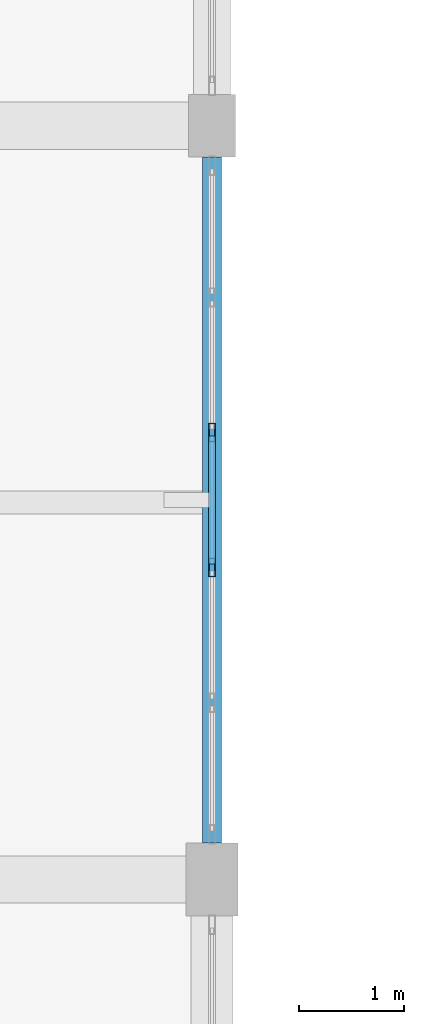
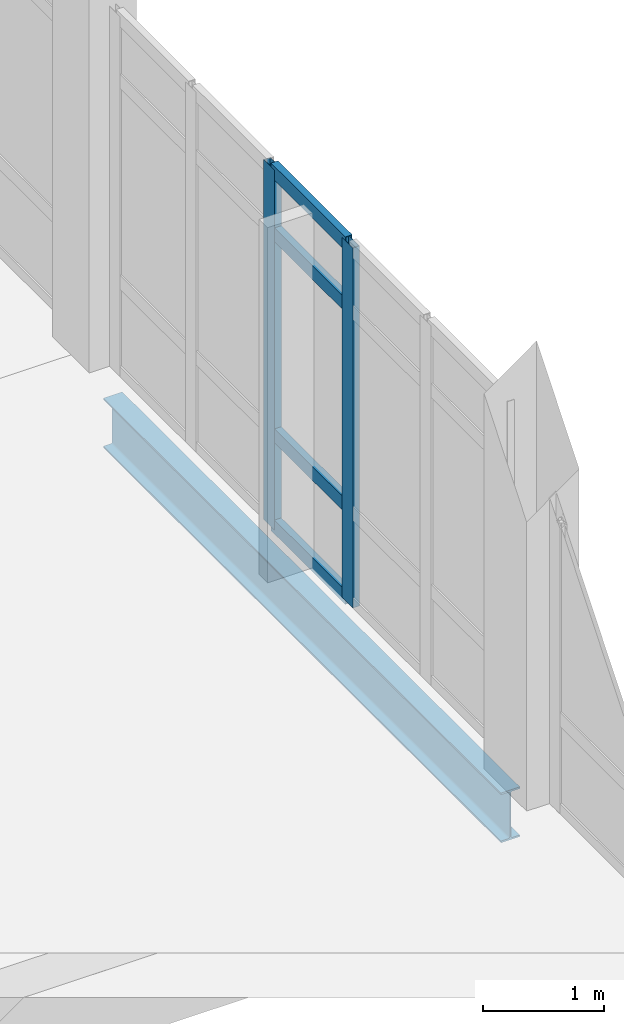
# One storey, part 12 of 57: 6 members, 1 beam, 1 element without a shape of its own.
"""IFC4 building model written with IfcOpenShell, lengths in metres."""

from ifc_helpers import new_model, si_unit, direction, frame, origin, origin_2d, place, context, subcontext, project, spatial, hollow_rectangle, i_section, extrude, material, material_profile, profile_set, type_object, element, aggregate, save


model = new_model("IFC4")

# Units and contexts
model_context = context("Model", 3, precision=1e-05, world=origin(), true_north=direction((0.0, 1.0)))
body_context = subcontext(model_context, "Body", "Model", "MODEL_VIEW")
ifc_project = project(units=[si_unit("LENGTHUNIT", "METRE"), si_unit("AREAUNIT", "SQUARE_METRE"), si_unit("VOLUMEUNIT", "CUBIC_METRE"), si_unit("PLANEANGLEUNIT", "RADIAN"), si_unit("MASSUNIT", "GRAM", prefix="KILO")], contexts=[model_context])

# Site, building, storey
site_placement = place(None, origin())
site = spatial("IfcSite", under=ifc_project, at=site_placement, CompositionType="ELEMENT")
building_placement = place(site_placement, origin())
building = spatial("IfcBuilding", under=site, at=building_placement, Name="Kalluvel Institute of Natural Sciences", CompositionType="ELEMENT")
storey_placement = place(building_placement, frame((0.0, 0.0, 23.39990234375)))
storey = spatial("IfcBuildingStorey", under=building, at=storey_placement, Name="L05", CompositionType="ELEMENT", Elevation=23.39990234375)

# Beam
ifc_material_1 = material(Name="Steel E350 Grade 350", Category="steel")
ifc_material_profile_1 = material_profile(ifc_material_1, i_section(OverallWidth=0.179931640625, OverallDepth=0.5, WebThickness=0.01025390625, FlangeThickness=0.01708984375, FilletRadius=0.01708984375, at=origin_2d()), Name="ISMB 500")
ifc_profile_set_1 = profile_set([ifc_material_profile_1], Name="Steel E350 Grade 350")
beam_type = type_object("IfcBeamType", Name="BM-ISMB500", PredefinedType="BEAM", material=ifc_profile_set_1)
beam_placement = place(storey_placement, frame((35.60009765625, 57.550048828125, -0.5498046875), z_axis=(0.0, 1.0, 0.0), x_axis=(-1.0, 0.0, 0.0)))
element("IfcBeam", 1, at=beam_placement, inside=storey, type_object=beam_type, Name="L05 girder GIR-L05-NS-X356-Y572", PredefinedType="BEAM", context=body_context, shape_type="SweptSolid", body=[
    extrude(i_section(OverallWidth=0.179931640625, OverallDepth=0.5, WebThickness=0.01025390625, FlangeThickness=0.01708984375, FilletRadius=0.01708984375, at=origin_2d()), origin(), (0.0, 0.0, 1.0), 6.550048828125),
])

# Curtain wall, members
ifc_material_2 = material(Name="Aluminium AW-6063 T6", Category="aluminium")
curtain_wall_type = type_object("IfcCurtainWallType", Name="CW-DRY-45", PredefinedType="USERDEFINED", material=ifc_material_2)
curtain_wall_placement = place(storey_placement, origin())
curtain_wall = element("IfcCurtainWall", 2, at=curtain_wall_placement, inside=storey, type_object=curtain_wall_type, Name="L05 Gothic lancet curtain wall CWA-L05-X356-Y576", ObjectType="UNITISED LANCET FACADE", PredefinedType="USERDEFINED")
ifc_material_profile_2 = material_profile(ifc_material_2, hollow_rectangle(XDim=0.06494140625, YDim=0.179931640625, WallThickness=0.00439453125, at=origin_2d()), Name="CWM 65x180")
ifc_profile_set_2 = profile_set([ifc_material_profile_2], Name="Aluminium AW-6063 T6")
member_type_1 = type_object("IfcMemberType", Name="CWM-65x180", PredefinedType="MULLION", material=ifc_profile_set_2)
member_1_placement = place(storey_placement, frame((35.60009765625, 60.179931640625, 0.0), z_axis=(0.0, 0.0, 1.0), x_axis=(-1.0, 0.0, 0.0)))
member_1 = element("IfcMember", 3, at=member_1_placement, type_object=member_type_1, Name="CW-03 mullion 3", PredefinedType="MULLION", context=body_context, shape_type="SweptSolid", body=[
    extrude(hollow_rectangle(XDim=0.06494140625, YDim=0.179931640625, WallThickness=0.00439453125, at=origin_2d()), origin(), (0.0, 0.0, 1.0), 3.6201171875),
])
member_2_placement = place(storey_placement, frame((35.60009765625, 61.469970703125, 0.0), z_axis=(0.0, 0.0, 1.0), x_axis=(-1.0, 0.0, 0.0)))
member_2 = element("IfcMember", 4, at=member_2_placement, type_object=member_type_1, Name="CW-03 mullion 4", PredefinedType="MULLION", context=body_context, shape_type="SweptSolid", body=[
    extrude(hollow_rectangle(XDim=0.06494140625, YDim=0.179931640625, WallThickness=0.00439453125, at=origin_2d()), origin(), (0.0, 0.0, 1.0), 3.6201171875),
])
ifc_material_profile_3 = material_profile(ifc_material_2, hollow_rectangle(XDim=0.06494140625, YDim=0.139892578125, WallThickness=0.00439453125, at=origin_2d()), Name="CWT 65x140")
ifc_profile_set_3 = profile_set([ifc_material_profile_3], Name="Aluminium AW-6063 T6")
member_type_2 = type_object("IfcMemberType", Name="CWT-65x140", PredefinedType="USERDEFINED", material=ifc_profile_set_3)
member_3_placement = place(storey_placement, frame((35.60009765625, 60.21240234375, 0.03271484375), z_axis=(0.0, 1.0, 0.0), x_axis=(-1.0, 0.0, 0.0)))
member_3 = element("IfcMember", 5, at=member_3_placement, type_object=member_type_2, Name="CW-03 transom 3.1", ObjectType="TRANSOM", PredefinedType="USERDEFINED", context=body_context, shape_type="SweptSolid", body=[
    extrude(hollow_rectangle(XDim=0.06494140625, YDim=0.139892578125, WallThickness=0.00439453125, at=origin_2d()), origin(), (0.0, 0.0, 1.0), 1.22509765625),
])
member_4_placement = place(storey_placement, frame((35.60009765625, 60.21240234375, 0.9501953125), z_axis=(0.0, 1.0, 0.0), x_axis=(-1.0, 0.0, 0.0)))
member_4 = element("IfcMember", 6, at=member_4_placement, type_object=member_type_2, Name="CW-03 transom 3.2", ObjectType="TRANSOM", PredefinedType="USERDEFINED", context=body_context, shape_type="SweptSolid", body=[
    extrude(hollow_rectangle(XDim=0.06494140625, YDim=0.139892578125, WallThickness=0.00439453125, at=origin_2d()), origin(), (0.0, 0.0, 1.0), 1.22509765625),
])
member_5_placement = place(storey_placement, frame((35.60009765625, 60.21240234375, 2.97021484375), z_axis=(0.0, 1.0, 0.0), x_axis=(-1.0, 0.0, 0.0)))
member_5 = element("IfcMember", 7, at=member_5_placement, type_object=member_type_2, Name="CW-03 transom 3.3", ObjectType="TRANSOM", PredefinedType="USERDEFINED", context=body_context, shape_type="SweptSolid", body=[
    extrude(hollow_rectangle(XDim=0.06494140625, YDim=0.139892578125, WallThickness=0.00439453125, at=origin_2d()), origin(), (0.0, 0.0, 1.0), 1.22509765625),
])
member_6_placement = place(storey_placement, frame((35.60009765625, 60.21240234375, 3.587646484375), z_axis=(0.0, 1.0, 0.0), x_axis=(-1.0, 0.0, 0.0)))
member_6 = element("IfcMember", 8, at=member_6_placement, type_object=member_type_2, Name="CW-03 transom 3.4", ObjectType="TRANSOM", PredefinedType="USERDEFINED", context=body_context, shape_type="SweptSolid", body=[
    extrude(hollow_rectangle(XDim=0.06494140625, YDim=0.139892578125, WallThickness=0.00439453125, at=origin_2d()), origin(), (0.0, 0.0, 1.0), 1.22509765625),
])
aggregate(curtain_wall, [member_1, member_2, member_3, member_4, member_5, member_6])

save(model, "model.ifc")
